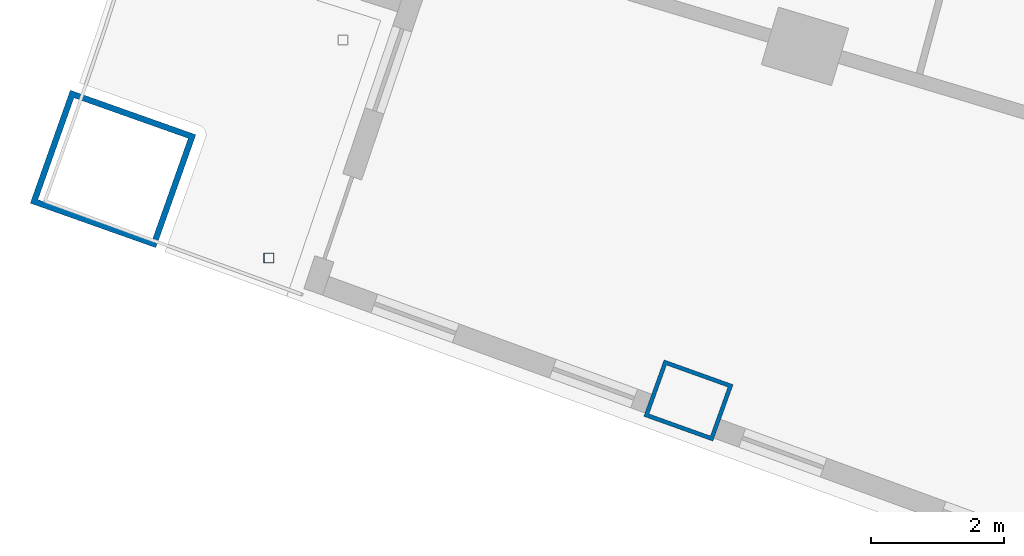
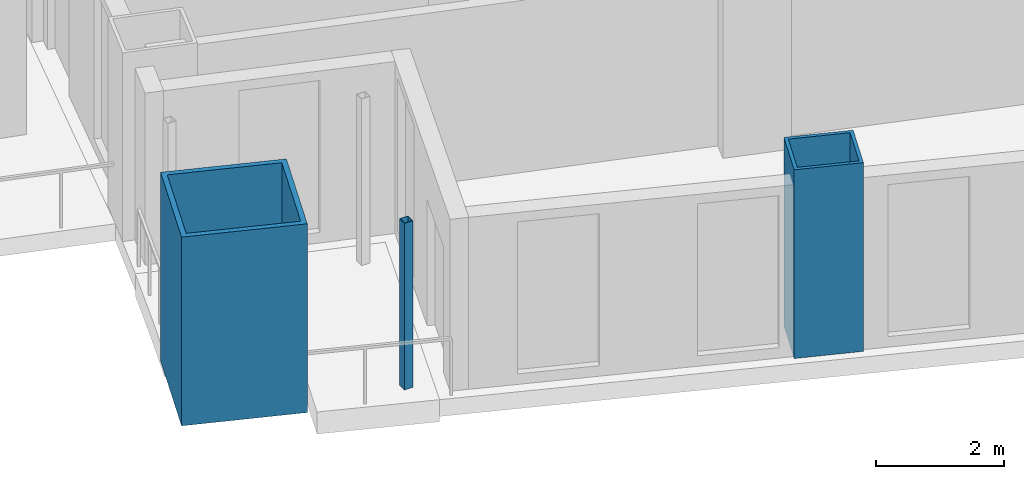
# One storey, part 1 of 25: 3 columns.
"""IFC4 building model written with IfcOpenShell, lengths in metres."""

import ifcopenshell
import ifcopenshell.guid

model = None  # the IFC model being written
_history = None  # IfcOwnerHistory: only IFC2X3 demands one
_inside = {}  # id of a spatial element -> (the spatial element, [elements in it])
_under = {}  # id of a project, library or spatial element -> (it, [spatial elements below it])
_declared = {}  # id of a project -> (the project, [libraries it declares])
_typed = {}  # id of a type object -> (the type object, [elements of that type])
_made_of = {}  # id of a material, layer set ... -> (it, [elements and type objects made of it])


def new_model(schema):
    """Start an empty IFC model of exactly this schema.

    Asked for "IFC4X3", IfcOpenShell would pick the latest addendum, in which some entities
    have other attributes; the version numbers below select the first issue.
    IFC2X3 requires an IfcOwnerHistory on every rooted entity: one is made here for all.
    """
    global model, _history
    if schema == "IFC4X3":
        model = ifcopenshell.file(schema_version=(4, 3, 0, 0))
    else:
        model = ifcopenshell.file(schema=schema)
    _inside.clear()
    _under.clear()
    _declared.clear()
    _typed.clear()
    _made_of.clear()
    _history = None
    if model.schema == "IFC2X3":
        org = make("IfcOrganization", Name="unknown")
        user = make(
            "IfcPersonAndOrganization",
            ThePerson=make("IfcPerson", FamilyName="unknown"),
            TheOrganization=org,
        )
        app = make(
            "IfcApplication",
            ApplicationDeveloper=org,
            Version="unknown",
            ApplicationFullName="unknown",
            ApplicationIdentifier="unknown",
        )
        _history = make(
            "IfcOwnerHistory",
            OwningUser=user,
            OwningApplication=app,
            ChangeAction="ADDED",
            CreationDate=0,
        )
    return model


def make(cls, **values):
    """One entity of the class cls with the attributes given. An attribute that is None is left unset."""
    return model.create_entity(
        cls, **{name: value for name, value in values.items() if value is not None}
    )


def rooted(cls, **values):
    """An entity with a GlobalId (a new one), such as an element, a storey or a relation."""
    return make(cls, GlobalId=ifcopenshell.guid.new(), OwnerHistory=_history, **values)


def si_unit(unit_type, name, prefix=None):
    """IfcSIUnit, for example si_unit("LENGTHUNIT", "METRE", prefix="MILLI")."""
    return make("IfcSIUnit", UnitType=unit_type, Prefix=prefix, Name=name)


def assignment(units):
    """IfcUnitAssignment: the units of a project."""
    return None if units is None else make("IfcUnitAssignment", Units=units)


def point(xyz):
    """IfcCartesianPoint."""
    return None if xyz is None else make("IfcCartesianPoint", Coordinates=xyz)


def direction(xyz):
    """IfcDirection."""
    return None if xyz is None else make("IfcDirection", DirectionRatios=xyz)


def frame(location, z_axis=None, x_axis=None):
    """IfcAxis2Placement3D, a coordinate frame: its origin and axes. An axis left out is left unset."""
    return make(
        "IfcAxis2Placement3D",
        Location=point(location),
        Axis=direction(z_axis),
        RefDirection=direction(x_axis),
    )


def frame_2d(location, x_axis=None):
    """IfcAxis2Placement2D, a coordinate frame in the plane: its origin and x axis."""
    return make(
        "IfcAxis2Placement2D", Location=point(location), RefDirection=direction(x_axis)
    )


def origin():
    """The frame at (0, 0, 0) with its axes left unset."""
    return frame((0.0, 0.0, 0.0))


def origin_2d():
    """The frame at (0, 0) in the plane with its x axis left unset."""
    return frame_2d((0.0, 0.0))


def place(relative_to, where):
    """IfcLocalPlacement: puts the frame where relative to a parent placement (None: the world)."""
    return make(
        "IfcLocalPlacement", PlacementRelTo=relative_to, RelativePlacement=where
    )


def context(
    kind, dimensions, precision=None, world=None, true_north=None, identifier=None
):
    """IfcGeometricRepresentationContext, for example the 3D "Model" context."""
    return make(
        "IfcGeometricRepresentationContext",
        ContextIdentifier=identifier,
        ContextType=kind,
        CoordinateSpaceDimension=dimensions,
        Precision=precision,
        WorldCoordinateSystem=world,
        TrueNorth=true_north,
    )


def subcontext(parent, identifier, kind, view, scale=None):
    """IfcGeometricRepresentationSubContext, for example "Body" below "Model"."""
    return make(
        "IfcGeometricRepresentationSubContext",
        ContextIdentifier=identifier,
        ContextType=kind,
        ParentContext=parent,
        TargetScale=scale,
        TargetView=view,
    )


def project(units=None, contexts=None):
    """IfcProject with its units and contexts."""
    return rooted(
        "IfcProject",
        Name="project",
        RepresentationContexts=contexts,
        UnitsInContext=assignment(units),
    )


def spatial(cls, under=None, at=None, **own):
    """A site, building, storey or space (cls), placed at a placement, below another one or the project."""
    s = rooted(cls, ObjectPlacement=at, **own)
    if under is not None:
        _under.setdefault(under.id(), (under, []))[1].append(s)
    return s


def profile(cls, at=None, kind="AREA", **sizes):
    """A parametric profile (cls). Its sizes go by their IFC names, for example OverallWidth=200.0."""
    return make(cls, ProfileType=kind, Position=at, **sizes)


def hollow_rectangle(**sizes):
    """IfcRectangleHollowProfileDef."""
    return profile("IfcRectangleHollowProfileDef", **sizes)


def extrude(swept, where, along, depth):
    """IfcExtrudedAreaSolid: the profile swept, set in the frame where, extruded along a direction by depth."""
    return make(
        "IfcExtrudedAreaSolid",
        SweptArea=swept,
        Position=where,
        ExtrudedDirection=direction(along),
        Depth=depth,
    )


def shape(context_of_items, identifier, shape_type, items):
    """IfcShapeRepresentation: the items that make up one representation, for example the "Body"."""
    return make(
        "IfcShapeRepresentation",
        ContextOfItems=context_of_items,
        RepresentationIdentifier=identifier,
        RepresentationType=shape_type,
        Items=items,
    )


def material(Name=None, Category=None):
    """IfcMaterial."""
    return make("IfcMaterial", Name=Name, Category=Category)


def material_profile(
    of_material, cross_section, Name=None, Category=None, Priority=None
):
    """IfcMaterialProfile: a cross section and its material."""
    return make(
        "IfcMaterialProfile",
        Name=Name,
        Material=of_material,
        Profile=cross_section,
        Priority=Priority,
        Category=Category,
    )


def profile_set(profiles, Name=None, composite=None):
    """IfcMaterialProfileSet."""
    return make(
        "IfcMaterialProfileSet",
        Name=Name,
        MaterialProfiles=profiles,
        CompositeProfile=composite,
    )


def made_of(thing, what):
    """Note that an element or type object is made of a material, layer set ...; save() writes the relation."""
    if what is not None:
        _made_of.setdefault(what.id(), (what, []))[1].append(thing)
    return thing


def type_object(cls, material=None, **own):
    """A type object (cls), such as IfcWallType, which elements share."""
    return made_of(rooted(cls, **own), material)


def element(
    cls,
    number,
    at=None,
    inside=None,
    cuts=None,
    type_object=None,
    material=None,
    context=None,
    identifier="Body",
    shape_type=None,
    held_by="IfcProductDefinitionShape",
    body=None,
    shapes=None,
    **own,
):
    """One element of the class cls, such as IfcWall. Its Tag is "e" and its number.

    at: its placement. inside: the storey or other place that contains it. cuts: it is an
    opening in that element (IfcRelVoidsElement). A single representation is given by context,
    identifier, shape_type and body (its items); several are given by shapes. held_by: the class
    of the entity that holds the representations. save() writes the other relations.
    """
    e = rooted(cls, Tag="e%d" % number, ObjectPlacement=at, **own)
    if body is not None:
        shapes = [shape(context, identifier, shape_type, body)]
    if shapes is not None:
        e.Representation = make(held_by, Representations=shapes)
    if inside is not None:
        _inside.setdefault(inside.id(), (inside, []))[1].append(e)
    if cuts is not None:
        rooted(
            "IfcRelVoidsElement", RelatingBuildingElement=cuts, RelatedOpeningElement=e
        )
    if type_object is not None:
        _typed.setdefault(type_object.id(), (type_object, []))[1].append(e)
    return made_of(e, material)


def aggregate(whole, parts):
    """IfcRelAggregates: a whole, such as a stair, and the parts it consists of."""
    return rooted("IfcRelAggregates", RelatingObject=whole, RelatedObjects=parts)


def save(model, path):
    """Write the relations noted so far, then the file.

    IfcRelAggregates (storeys below a building ...), IfcRelContainedInSpatialStructure (elements
    in a storey), IfcRelDefinesByType, IfcRelAssociatesMaterial and IfcRelDeclares: one each for
    every whole, place, type object, material and project.
    """
    for whole, parts in _under.values():
        aggregate(whole, parts)
    for where, things in _inside.values():
        rooted(
            "IfcRelContainedInSpatialStructure",
            RelatedElements=things,
            RelatingStructure=where,
        )
    for kind, things in _typed.values():
        rooted("IfcRelDefinesByType", RelatedObjects=things, RelatingType=kind)
    for what, things in _made_of.values():
        rooted("IfcRelAssociatesMaterial", RelatedObjects=things, RelatingMaterial=what)
    for by, libraries in _declared.values():
        rooted("IfcRelDeclares", RelatingContext=by, RelatedDefinitions=libraries)
    model.write(path)


model = new_model("IFC4")

# Units and contexts
model_context = context("Model", 3, precision=1e-05, world=origin(), true_north=direction((0.0, 1.0)))
body_context = subcontext(model_context, "Body", "Model", "MODEL_VIEW")
ifc_project = project(units=[si_unit("LENGTHUNIT", "METRE"), si_unit("AREAUNIT", "SQUARE_METRE"), si_unit("VOLUMEUNIT", "CUBIC_METRE"), si_unit("PLANEANGLEUNIT", "RADIAN"), si_unit("MASSUNIT", "GRAM", prefix="KILO")], contexts=[model_context])

# Site, building, storey
site_placement = place(None, origin())
site = spatial("IfcSite", under=ifc_project, at=site_placement, CompositionType="ELEMENT")
building_placement = place(site_placement, origin())
building = spatial("IfcBuilding", under=site, at=building_placement, Name="Alderwake Tower", CompositionType="ELEMENT")
storey_placement = place(building_placement, frame((0.0, 0.0, 57.199951171875)))
storey = spatial("IfcBuildingStorey", under=building, at=storey_placement, Name="L13", CompositionType="ELEMENT", Elevation=57.199951171875)

# Columns
ifc_material_1 = material(Name="Steel ASTM A572 Grade 50 concrete filled C70/85", Category="concrete")
ifc_material_profile_1 = material_profile(ifc_material_1, hollow_rectangle(XDim=0.89990234375, YDim=1.10009765625, WallThickness=0.06005859375, at=origin_2d()), Name="BOX 1100X900X60")
ifc_profile_set_1 = profile_set([ifc_material_profile_1], Name="Steel ASTM A572 Grade 50 concrete filled C70/85")
column_type_1 = type_object("IfcColumnType", Name="End column Z1", PredefinedType="COLUMN", material=ifc_profile_set_1)
column_1_placement = place(storey_placement, frame((19.965576171875, 25.1484375, 0.0), z_axis=(0.0, 0.0, 1.0), x_axis=(0.337584879279, 0.9412950915, 0.0)))
element("IfcColumn", 1, at=column_1_placement, inside=storey, type_object=column_type_1, Name="Column R01-C1", PredefinedType="COLUMN", context=body_context, shape_type="SweptSolid", body=[
    extrude(hollow_rectangle(XDim=0.89990234375, YDim=1.10009765625, WallThickness=0.06005859375, at=origin_2d()), origin(), (0.0, 0.0, 1.0), 3.60009765625),
])
ifc_material_2 = material(Name="Steel ASTM A500 Grade C", Category="steel")
ifc_material_profile_2 = material_profile(ifc_material_2, hollow_rectangle(XDim=0.15234375, YDim=0.15234375, WallThickness=0.0087890625, at=origin_2d()), Name="HSS6X6X3/8")
ifc_profile_set_2 = profile_set([ifc_material_profile_2], Name="Steel ASTM A500 Grade C")
column_type_2 = type_object("IfcColumnType", Name="Light post HSS6X6X3/8", PredefinedType="COLUMN", material=ifc_profile_set_2)
column_2_placement = place(storey_placement, frame((13.66796875, 27.28759765625, 0.0), z_axis=(0.0, 0.0, 1.0), x_axis=(1.0, 0.0, 0.0)))
element("IfcColumn", 2, at=column_2_placement, inside=storey, type_object=column_type_2, Name="Terrace post RS2", PredefinedType="COLUMN", context=body_context, shape_type="SweptSolid", body=[
    extrude(hollow_rectangle(XDim=0.15234375, YDim=0.15234375, WallThickness=0.0087890625, at=origin_2d()), origin(), (0.0, 0.0, 1.0), 3.179931640625),
])
ifc_material_3 = material(Name="Steel ASTM A572 Grade 50 concrete filled C70/85", Category="concrete")
ifc_material_profile_3 = material_profile(ifc_material_3, hollow_rectangle(XDim=1.800048828125, YDim=2.0, WallThickness=0.090087890625, at=origin_2d()), Name="BOX 2000X1800X90")
ifc_profile_set_3 = profile_set([ifc_material_profile_3], Name="Steel ASTM A572 Grade 50 concrete filled C70/85")
column_type_3 = type_object("IfcColumnType", Name="Mega column Z1", PredefinedType="COLUMN", material=ifc_profile_set_3)
column_3_placement = place(storey_placement, frame((11.330810546875, 28.622802734375, 0.0), z_axis=(0.0, 0.0, 1.0), x_axis=(0.334130947791, 0.942526662609, 0.0)))
element("IfcColumn", 3, at=column_3_placement, inside=storey, type_object=column_type_3, Name="Column R01-C0", PredefinedType="COLUMN", context=body_context, shape_type="SweptSolid", body=[
    extrude(hollow_rectangle(XDim=1.800048828125, YDim=2.0, WallThickness=0.090087890625, at=origin_2d()), origin(), (0.0, 0.0, 1.0), 3.60009765625),
])

save(model, "model.ifc")
